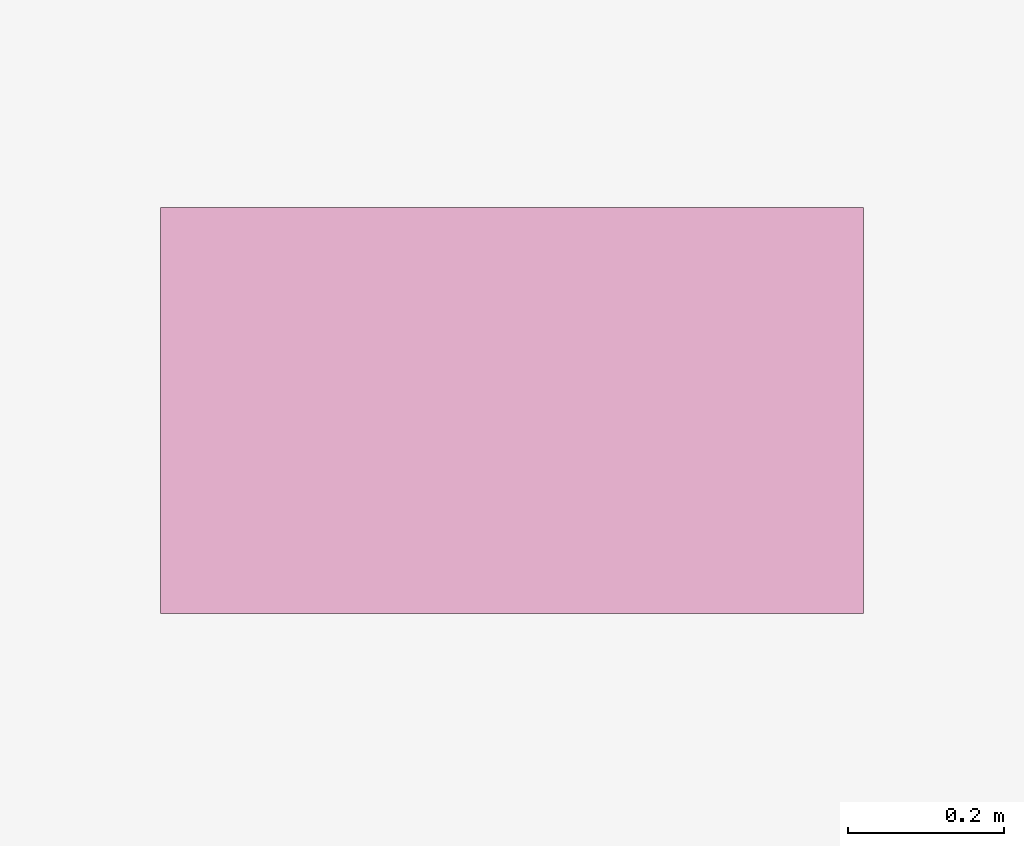
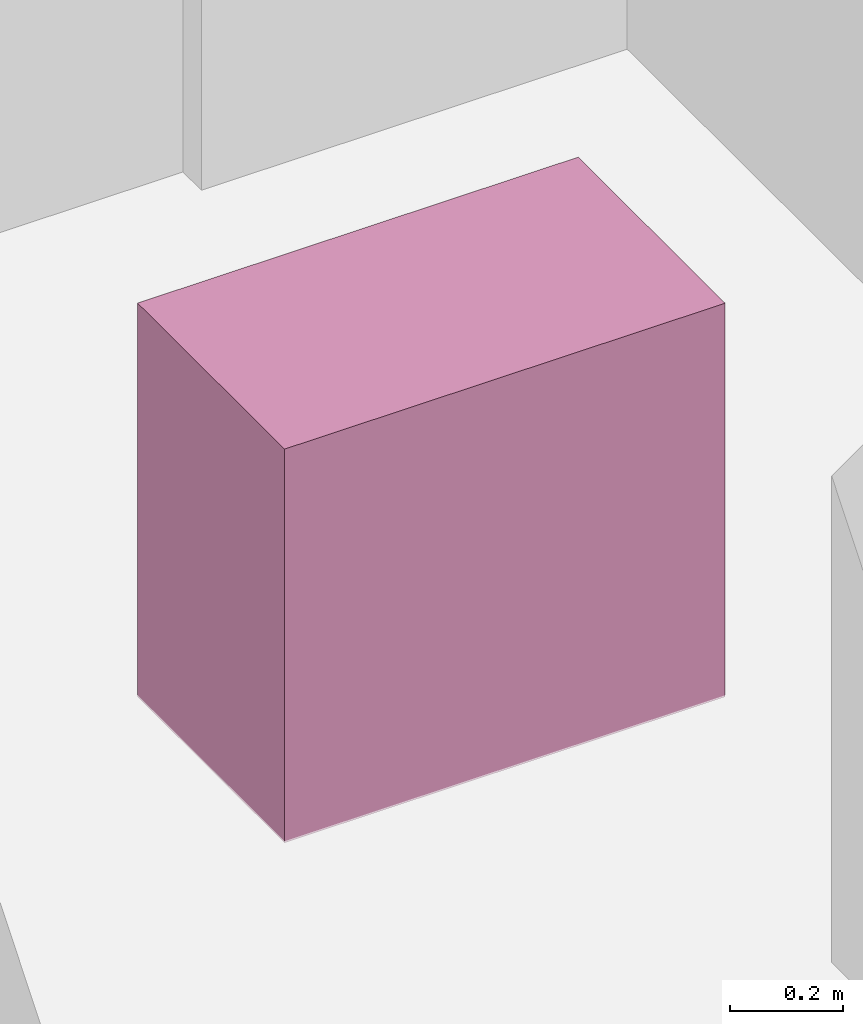
# One storey, part 33 of 33: 1 furnishing.
"""IFC4 building model written with IfcOpenShell, lengths in metres."""

from ifc_helpers import new_model, si_unit, direction, frame, origin, origin_2d, place, context, subcontext, project, spatial, rectangle, extrude, material, type_object, element, save


model = new_model("IFC4")

# Units and contexts
model_context = context("Model", 3, precision=1e-05, world=origin(), true_north=direction((0.0, 1.0)))
body_context = subcontext(model_context, "Body", "Model", "MODEL_VIEW")
ifc_project = project(units=[si_unit("LENGTHUNIT", "METRE"), si_unit("AREAUNIT", "SQUARE_METRE"), si_unit("VOLUMEUNIT", "CUBIC_METRE"), si_unit("PLANEANGLEUNIT", "RADIAN"), si_unit("MASSUNIT", "GRAM", prefix="KILO")], contexts=[model_context])

# Site, building, storey
site_placement = place(None, origin())
site = spatial("IfcSite", under=ifc_project, at=site_placement, CompositionType="ELEMENT")
building_placement = place(site_placement, origin())
building = spatial("IfcBuilding", under=site, at=building_placement, Name="Vorneva Point Tower", CompositionType="ELEMENT")
storey_placement = place(building_placement, frame((0.0, 0.0, 200.10009765625)))
storey = spatial("IfcBuildingStorey", under=building, at=storey_placement, Name="L54", CompositionType="ELEMENT", Elevation=200.10009765625)

# Furnishing
ifc_material = material(Name="Vitreous china and granite top", Category="masonry")
furniture_type = type_object("IfcFurnitureType", Name="FUR-VAN-900", AssemblyPlace="NOTDEFINED", PredefinedType="NOTDEFINED", material=ifc_material)
furnishing_placement = place(storey_placement, frame((34.85009765625, 32.1201171875, -0.005126953125), z_axis=(0.0, 0.0, 1.0), x_axis=(1.0, 0.0, 0.0)))
element("IfcFurnishingElement", 1, at=furnishing_placement, inside=storey, type_object=furniture_type, Name="L54 Public Male WC Vanity Unit", ObjectType="L54 Public Male WC Vanity Unit", context=body_context, shape_type="SweptSolid", body=[
    extrude(rectangle(XDim=0.89990234375, YDim=0.52001953125, at=origin_2d()), origin(), (0.0, 0.0, 1.0), 0.85009765625),
])

save(model, "model.ifc")
